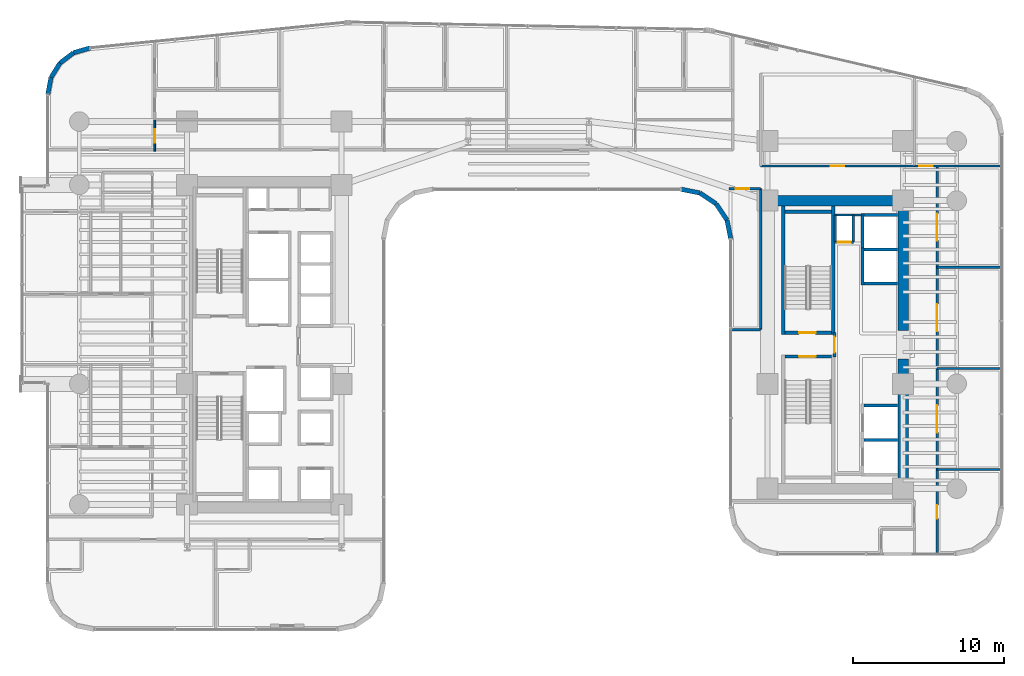
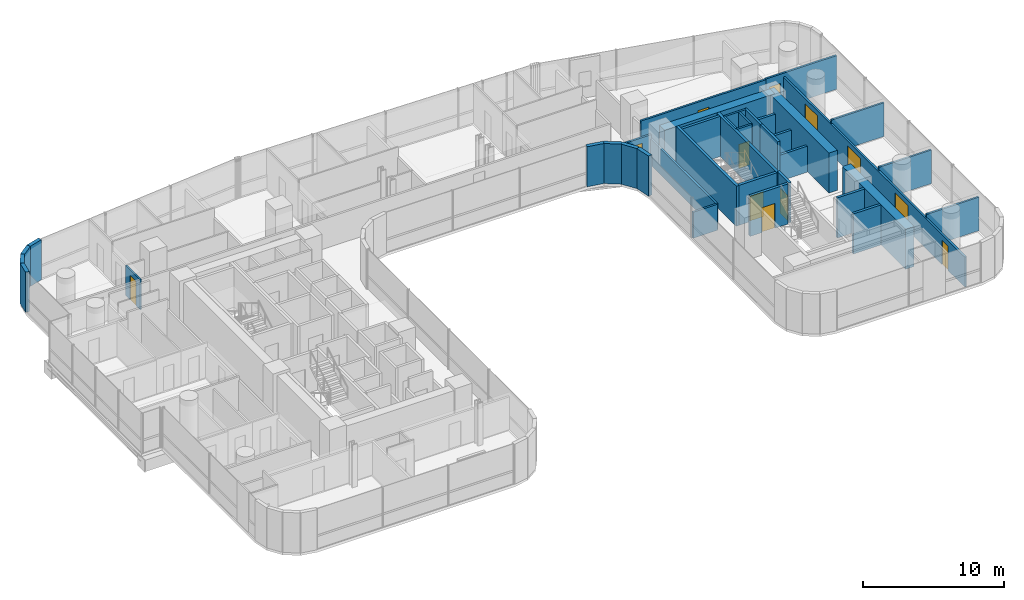
# One storey, part 32 of 40: 38 walls, 12 doors, 12 openings.
"""IFC4 building model written with IfcOpenShell, lengths in metres."""

from ifc_helpers import new_model, si_unit, direction, frame, frame_2d, origin, place, context, subcontext, project, spatial, rectangle, extrude, material, layer, layer_set, type_object, element, fill, save


model = new_model("IFC4")

# Units and contexts
model_context = context("Model", 3, precision=1e-05, world=origin(), true_north=direction((0.0, 1.0)))
body_context = subcontext(model_context, "Body", "Model", "MODEL_VIEW")
ifc_project = project(units=[si_unit("LENGTHUNIT", "METRE"), si_unit("AREAUNIT", "SQUARE_METRE"), si_unit("VOLUMEUNIT", "CUBIC_METRE"), si_unit("PLANEANGLEUNIT", "RADIAN"), si_unit("MASSUNIT", "GRAM", prefix="KILO")], contexts=[model_context])

# Site, building, storey
site_placement = place(None, origin())
site = spatial("IfcSite", under=ifc_project, at=site_placement, CompositionType="ELEMENT")
building_placement = place(site_placement, origin())
building = spatial("IfcBuilding", under=site, at=building_placement, Name="Valdorenza Pilgrim Sanctuary Tower", CompositionType="ELEMENT")
storey_placement = place(building_placement, frame((0.0, 0.0, 40.800048828125)))
storey = spatial("IfcBuildingStorey", under=building, at=storey_placement, Name="L09", CompositionType="ELEMENT", Elevation=40.800048828125)

# Wall, opening, door
ifc_material_1 = material(Name="Acoustic twin-stud gypsum partition", Category="gypsum")
ifc_layer_1 = layer(ifc_material_1, 0.159912109375, Name="Acoustic twin-stud gypsum partition")
ifc_layer_set_1 = layer_set([ifc_layer_1], Name="Acoustic twin-stud gypsum partition")
wall_type_1 = type_object("IfcWallType", Name="WAL-COR-160", PredefinedType="PARTITIONING", material=ifc_layer_set_1)
wall_1_placement = place(storey_placement, frame((20.35009765625, 6.800048828125, 0.0), z_axis=(0.0, 0.0, 1.0), x_axis=(1.0, 0.0, 0.0)))
wall_1 = element("IfcWall", 1, at=wall_1_placement, inside=storey, type_object=wall_type_1, Name="L09 Core B Riser South Wall", PredefinedType="PARTITIONING", context=body_context, shape_type="SweptSolid", body=[
    extrude(rectangle(XDim=1.199951171875, YDim=0.159912109375, at=frame_2d((0.60009765625, 0.0))), origin(), (0.0, 0.0, 1.0), 3.4599609375),
])
opening_1_placement = place(wall_1_placement, frame((0.175048828125, 0.0, 0.0)))
opening_1 = element("IfcOpeningElement", 2, at=opening_1_placement, cuts=wall_1, Name="Opening DR-RS1", PredefinedType="OPENING", context=body_context, shape_type="SweptSolid", body=[
    extrude(rectangle(XDim=0.85009765625, YDim=2.050048828125, at=frame_2d((0.425048828125, 1.02490234375))), frame((0.0, 0.0947265625, 0.0), z_axis=(0.0, -1.0, 0.0), x_axis=(1.0, 0.0, 0.0)), (0.0, 0.0, 1.0), 0.189697265625),
])
ifc_material_2 = material(Name="Painted galvanized steel", Category="steel")
door_type_1 = type_object("IfcDoorType", Name="DR-RSR-850", OperationType="NOTDEFINED", PredefinedType="DOOR", material=ifc_material_2)
door_1_placement = place(opening_1_placement, origin())
door_1 = element("IfcDoor", 3, at=door_1_placement, inside=storey, type_object=door_type_1, Name="L09 Core B Electrical Riser Door", OperationType="SINGLE_SWING_LEFT", OverallHeight=2.050048828125, OverallWidth=0.85009765625, PredefinedType="DOOR", context=body_context, shape_type="SweptSolid", body=[
    extrude(rectangle(XDim=0.85009765625, YDim=2.050048828125, at=frame_2d((0.425048828125, 1.02490234375))), frame((0.0, 0.02490234375, 0.0), z_axis=(0.0, -1.0, 0.0), x_axis=(1.0, 0.0, 0.0)), (0.0, 0.0, 1.0), 0.050048828125),
])
fill(opening_1, door_1)

# Walls
for number, where, z_axis, x_axis, name in (
    (4, (21.550048828125, 6.800048828125, 0.0), (0.0, 0.0, 1.0), (0.0, 1.0, 0.0), "L09 Core B Riser East Wall"),
    (5, (20.35009765625, 6.800048828125, 0.0), (0.0, 0.0, 1.0), (0.0, 1.0, 0.0), "L09 Core B Riser West Wall"),
):
    element("IfcWall", number, at=place(storey_placement, frame(where, z_axis=z_axis, x_axis=x_axis)), inside=storey, type_object=wall_type_1, Name=name, PredefinedType="PARTITIONING", context=body_context, shape_type="SweptSolid", body=[
        extrude(rectangle(XDim=1.800048828125, YDim=0.159912109375, at=frame_2d((0.89990234375, 0.0))), origin(), (0.0, 0.0, 1.0), 3.4599609375),
    ])
wall_2_placement = place(storey_placement, frame((20.300048828125, 8.60009765625, 0.0), z_axis=(0.0, 0.0, 1.0), x_axis=(1.0, 0.0, 0.0)))
element("IfcWall", 6, at=wall_2_placement, inside=storey, type_object=wall_type_1, Name="L09 Core B Lift Hall North End Wall", PredefinedType="PARTITIONING", context=body_context, shape_type="SweptSolid", body=[
    extrude(rectangle(XDim=1.820068359375, YDim=0.159912109375, at=frame_2d((0.91015625, 0.0))), origin(), (0.0, 0.0, 1.0), 3.4599609375),
])

# Wall, opening, door
wall_3_placement = place(storey_placement, frame((15.39990234375, 11.85009765625, 0.0), z_axis=(0.0, 0.0, 1.0), x_axis=(1.0, 0.0, 0.0)))
wall_3 = element("IfcWall", 7, at=wall_3_placement, inside=storey, type_object=wall_type_1, Name="L09 Wing B North Corridor Wall", PredefinedType="PARTITIONING", context=body_context, shape_type="SweptSolid", body=[
    extrude(rectangle(XDim=10.2001953125, YDim=0.159912109375, at=frame_2d((5.10009765625, 0.0))), origin(), (0.0, 0.0, 1.0), 2.833984375),
])
opening_2_placement = place(wall_3_placement, frame((4.64990234375, 0.0, 0.0)))
opening_2 = element("IfcOpeningElement", 8, at=opening_2_placement, cuts=wall_3, Name="Opening DR-RM1", PredefinedType="OPENING", context=body_context, shape_type="SweptSolid", body=[
    extrude(rectangle(XDim=0.89990234375, YDim=2.10009765625, at=frame_2d((0.449951171875, 1.050048828125))), frame((0.0, 0.0947265625, 0.0), z_axis=(0.0, -1.0, 0.0), x_axis=(1.0, 0.0, 0.0)), (0.0, 0.0, 1.0), 0.189697265625),
])
ifc_material_3 = material(Name="Solid-core European oak timber", Category="wood")
door_type_2 = type_object("IfcDoorType", Name="DR-ROOM-900", OperationType="NOTDEFINED", PredefinedType="DOOR", material=ifc_material_3)
door_2_placement = place(opening_2_placement, origin())
door_2 = element("IfcDoor", 9, at=door_2_placement, inside=storey, type_object=door_type_2, Name="L09 Curator Research Office L09-BN1 Door", OperationType="SINGLE_SWING_RIGHT", OverallHeight=2.10009765625, OverallWidth=0.89990234375, PredefinedType="DOOR", context=body_context, shape_type="SweptSolid", body=[
    extrude(rectangle(XDim=0.89990234375, YDim=2.10009765625, at=frame_2d((0.449951171875, 1.050048828125))), frame((0.0, 0.02490234375, 0.0), z_axis=(0.0, -1.0, 0.0), x_axis=(1.0, 0.0, 0.0)), (0.0, 0.0, 1.0), 0.050048828125),
])
fill(opening_2, door_2)

# Wall, openings, doors
wall_4_placement = place(storey_placement, frame((27.10009765625, -13.889892578125, 0.0), z_axis=(0.0, 0.0, 1.0), x_axis=(0.0, 1.0, 0.0)))
wall_4 = element("IfcWall", 10, at=wall_4_placement, inside=storey, type_object=wall_type_1, Name="L09 Wing B East Corridor Wall", PredefinedType="PARTITIONING", context=body_context, shape_type="SweptSolid", body=[
    extrude(rectangle(XDim=25.739990234375, YDim=0.159912109375, at=frame_2d((12.8701171875, 0.0))), origin(), (0.0, 0.0, 1.0), 2.5830078125),
])
opening_3_placement = place(wall_4_placement, frame((2.35107421875, 0.0, 0.0)))
opening_3 = element("IfcOpeningElement", 11, at=opening_3_placement, cuts=wall_4, Name="Opening DR-RM1", PredefinedType="OPENING", context=body_context, shape_type="SweptSolid", body=[
    extrude(rectangle(XDim=0.89990234375, YDim=2.10009765625, at=frame_2d((0.449951171875, 1.050048828125))), frame((0.0, 0.0947265625, 0.0), z_axis=(0.0, -1.0, 0.0), x_axis=(1.0, 0.0, 0.0)), (0.0, 0.0, 1.0), 0.189697265625),
])
opening_4_placement = place(wall_4_placement, frame((8.05908203125, 0.0, 0.0)))
opening_4 = element("IfcOpeningElement", 12, at=opening_4_placement, cuts=wall_4, Name="Opening DR-HL1", PredefinedType="OPENING", context=body_context, shape_type="SweptSolid", body=[
    extrude(rectangle(XDim=1.800048828125, YDim=2.14990234375, at=frame_2d((0.89990234375, 1.074951171875))), frame((0.0, 0.0947265625, 0.0), z_axis=(0.0, -1.0, 0.0), x_axis=(1.0, 0.0, 0.0)), (0.0, 0.0, 1.0), 0.189697265625),
])
opening_5_placement = place(wall_4_placement, frame((14.77099609375, 0.0, 0.0)))
opening_5 = element("IfcOpeningElement", 13, at=opening_5_placement, cuts=wall_4, Name="Opening DR-HL1", PredefinedType="OPENING", context=body_context, shape_type="SweptSolid", body=[
    extrude(rectangle(XDim=1.800048828125, YDim=2.14990234375, at=frame_2d((0.89990234375, 1.074951171875))), frame((0.0, 0.0947265625, 0.0), z_axis=(0.0, -1.0, 0.0), x_axis=(1.0, 0.0, 0.0)), (0.0, 0.0, 1.0), 0.189697265625),
])
opening_6_placement = place(wall_4_placement, frame((20.78759765625, 0.0, 0.0)))
opening_6 = element("IfcOpeningElement", 14, at=opening_6_placement, cuts=wall_4, Name="Opening DR-HL1", PredefinedType="OPENING", context=body_context, shape_type="SweptSolid", body=[
    extrude(rectangle(XDim=1.800048828125, YDim=2.14990234375, at=frame_2d((0.89990234375, 1.074951171875))), frame((0.0, 0.0947265625, 0.0), z_axis=(0.0, -1.0, 0.0), x_axis=(1.0, 0.0, 0.0)), (0.0, 0.0, 1.0), 0.189697265625),
])
ifc_material_4 = material(Name="Acoustic oak and vision-glass double door", Category="glass")
door_type_3 = type_object("IfcDoorType", Name="DR-HALL-1800", OperationType="NOTDEFINED", PredefinedType="DOOR", material=ifc_material_4)
door_3_placement = place(opening_4_placement, frame((1.800048828125, 0.0, 0.0), z_axis=(0.0, 0.0, 1.0), x_axis=(-1.0, 0.0, 0.0)))
door_3 = element("IfcDoor", 15, at=door_3_placement, inside=storey, type_object=door_type_3, Name="L09 East Reading Lounge L09-EB2 Door", OperationType="DOUBLE_DOOR_SINGLE_SWING", OverallHeight=2.14990234375, OverallWidth=1.800048828125, PredefinedType="DOOR", context=body_context, shape_type="SweptSolid", body=[
    extrude(rectangle(XDim=1.800048828125, YDim=2.14990234375, at=frame_2d((0.89990234375, 1.074951171875))), frame((0.0, 0.02490234375, 0.0), z_axis=(0.0, -1.0, 0.0), x_axis=(1.0, 0.0, 0.0)), (0.0, 0.0, 1.0), 0.050048828125),
])
fill(opening_4, door_3)
door_4_placement = place(opening_5_placement, origin())
door_4 = element("IfcDoor", 16, at=door_4_placement, inside=storey, type_object=door_type_3, Name="L09 East Reading Lounge L09-EB3 Door", OperationType="DOUBLE_DOOR_SINGLE_SWING", OverallHeight=2.14990234375, OverallWidth=1.800048828125, PredefinedType="DOOR", context=body_context, shape_type="SweptSolid", body=[
    extrude(rectangle(XDim=1.800048828125, YDim=2.14990234375, at=frame_2d((0.89990234375, 1.074951171875))), frame((0.0, 0.02490234375, 0.0), z_axis=(0.0, -1.0, 0.0), x_axis=(1.0, 0.0, 0.0)), (0.0, 0.0, 1.0), 0.050048828125),
])
fill(opening_5, door_4)
door_5_placement = place(opening_6_placement, frame((1.800048828125, 0.0, 0.0), z_axis=(0.0, 0.0, 1.0), x_axis=(-1.0, 0.0, 0.0)))
door_5 = element("IfcDoor", 17, at=door_5_placement, inside=storey, type_object=door_type_3, Name="L09 East Reading Lounge L09-EB4 Door", OperationType="DOUBLE_DOOR_SINGLE_SWING", OverallHeight=2.14990234375, OverallWidth=1.800048828125, PredefinedType="DOOR", context=body_context, shape_type="SweptSolid", body=[
    extrude(rectangle(XDim=1.800048828125, YDim=2.14990234375, at=frame_2d((0.89990234375, 1.074951171875))), frame((0.0, 0.02490234375, 0.0), z_axis=(0.0, -1.0, 0.0), x_axis=(1.0, 0.0, 0.0)), (0.0, 0.0, 1.0), 0.050048828125),
])
fill(opening_6, door_5)
door_6_placement = place(opening_3_placement, origin())
door_6 = element("IfcDoor", 18, at=door_6_placement, inside=storey, type_object=door_type_2, Name="L09 East Reading Lounge L09-EB1 Door", OperationType="SINGLE_SWING_RIGHT", OverallHeight=2.10009765625, OverallWidth=0.89990234375, PredefinedType="DOOR", context=body_context, shape_type="SweptSolid", body=[
    extrude(rectangle(XDim=0.89990234375, YDim=2.10009765625, at=frame_2d((0.449951171875, 1.050048828125))), frame((0.0, 0.02490234375, 0.0), z_axis=(0.0, -1.0, 0.0), x_axis=(1.0, 0.0, 0.0)), (0.0, 0.0, 1.0), 0.050048828125),
])
fill(opening_3, door_6)

# Wall, opening, door
wall_5_placement = place(storey_placement, frame((25.60009765625, 11.85009765625, 0.0), z_axis=(0.0, 0.0, 1.0), x_axis=(1.0, 0.0, 0.0)))
wall_5 = element("IfcWall", 19, at=wall_5_placement, inside=storey, type_object=wall_type_1, Name="L09 East Wing NE Corner South Wall", PredefinedType="PARTITIONING", context=body_context, shape_type="SweptSolid", body=[
    extrude(rectangle(XDim=5.789794921875, YDim=0.159912109375, at=frame_2d((2.89501953125, 0.0))), origin(), (0.0, 0.0, 1.0), 2.89599609375),
])
opening_7_placement = place(wall_5_placement, frame((0.300048828125, 0.0, 0.0)))
opening_7 = element("IfcOpeningElement", 20, at=opening_7_placement, cuts=wall_5, Name="Opening DR-RM1", PredefinedType="OPENING", context=body_context, shape_type="SweptSolid", body=[
    extrude(rectangle(XDim=0.89990234375, YDim=2.10009765625, at=frame_2d((0.449951171875, 1.050048828125))), frame((0.0, 0.0947265625, 0.0), z_axis=(0.0, -1.0, 0.0), x_axis=(1.0, 0.0, 0.0)), (0.0, 0.0, 1.0), 0.189697265625),
])
door_7_placement = place(opening_7_placement, origin())
door_7 = element("IfcDoor", 21, at=door_7_placement, inside=storey, type_object=door_type_2, Name="L09 East North Alcove Office L09 Door", OperationType="SINGLE_SWING_LEFT", OverallHeight=2.10009765625, OverallWidth=0.89990234375, PredefinedType="DOOR", context=body_context, shape_type="SweptSolid", body=[
    extrude(rectangle(XDim=0.89990234375, YDim=2.10009765625, at=frame_2d((0.449951171875, 1.050048828125))), frame((0.0, 0.02490234375, 0.0), z_axis=(0.0, -1.0, 0.0), x_axis=(1.0, 0.0, 0.0)), (0.0, 0.0, 1.0), 0.050048828125),
])
fill(opening_7, door_7)

wall_6_placement = place(storey_placement, frame((13.300048828125, 10.35009765625, 0.0), z_axis=(0.0, 0.0, 1.0), x_axis=(1.0, 0.0, 0.0)))
wall_6 = element("IfcWall", 22, at=wall_6_placement, inside=storey, type_object=wall_type_1, Name="L09 Courtyard Overlook North Wall", PredefinedType="PARTITIONING", context=body_context, shape_type="SweptSolid", body=[
    extrude(rectangle(XDim=2.099853515625, YDim=0.159912109375, at=frame_2d((1.0498046875, 0.0))), origin(), (0.0, 0.0, 1.0), 2.5830078125),
])
opening_8_placement = place(wall_6_placement, frame((0.449951171875, 0.0, 0.0)))
opening_8 = element("IfcOpeningElement", 23, at=opening_8_placement, cuts=wall_6, Name="Opening DR-RM1", PredefinedType="OPENING", context=body_context, shape_type="SweptSolid", body=[
    extrude(rectangle(XDim=0.89990234375, YDim=2.10009765625, at=frame_2d((0.449951171875, 1.050048828125))), frame((0.0, 0.0947265625, 0.0), z_axis=(0.0, -1.0, 0.0), x_axis=(1.0, 0.0, 0.0)), (0.0, 0.0, 1.0), 0.189697265625),
])
door_8_placement = place(opening_8_placement, origin())
door_8 = element("IfcDoor", 24, at=door_8_placement, inside=storey, type_object=door_type_2, Name="L09 Courtyard Overlook Salon Door", OperationType="SINGLE_SWING_RIGHT", OverallHeight=2.10009765625, OverallWidth=0.89990234375, PredefinedType="DOOR", context=body_context, shape_type="SweptSolid", body=[
    extrude(rectangle(XDim=0.89990234375, YDim=2.10009765625, at=frame_2d((0.449951171875, 1.050048828125))), frame((0.0, 0.02490234375, 0.0), z_axis=(0.0, -1.0, 0.0), x_axis=(1.0, 0.0, 0.0)), (0.0, 0.0, 1.0), 0.050048828125),
])
fill(opening_8, door_8)

# Walls
wall_7_placement = place(storey_placement, frame((15.39990234375, 1.0, 0.0), z_axis=(0.0, 0.0, 1.0), x_axis=(0.0, 1.0, 0.0)))
element("IfcWall", 25, at=wall_7_placement, inside=storey, type_object=wall_type_1, Name="L09 Courtyard Overlook East Wall", PredefinedType="PARTITIONING", context=body_context, shape_type="SweptSolid", body=[
    extrude(rectangle(XDim=9.35009765625, YDim=0.159912109375, at=frame_2d((4.675048828125, 0.0))), origin(), (0.0, 0.0, 1.0), 2.244873046875),
])
wall_8_placement = place(storey_placement, frame((13.409912109375, 1.0, 0.0), z_axis=(0.0, 0.0, 1.0), x_axis=(1.0, 0.0, 0.0)))
element("IfcWall", 26, at=wall_8_placement, inside=storey, type_object=wall_type_1, Name="L09 Courtyard Overlook South Wall", PredefinedType="PARTITIONING", context=body_context, shape_type="SweptSolid", body=[
    extrude(rectangle(XDim=1.989990234375, YDim=0.159912109375, at=frame_2d((0.9951171875, 0.0))), origin(), (0.0, 0.0, 1.0), 2.244873046875),
])
ifc_material_5 = material(Name="Concrete C60/75", Category="concrete")
ifc_layer_2 = layer(ifc_material_5, 0.699951171875, Name="Concrete C60/75")
ifc_layer_set_2 = layer_set([ifc_layer_2], Name="Concrete C60/75")
wall_type_2 = type_object("IfcWallType", Name="WAL-COR-700", PredefinedType="SHEAR", material=ifc_layer_set_2)
for number, where, z_axis, x_axis, name in (
    (27, (24.85009765625, -9.89990234375, 0.0), (0.0, 0.0, 1.0), (0.0, 1.0, 0.0), "L09 Split Core B Shear Wall ES"),
    (28, (24.85009765625, 0.949951171875, 0.0), (0.0, 0.0, 1.0), (0.0, 1.0, 0.0), "L09 Split Core B Shear Wall EN"),
):
    element("IfcWall", number, at=place(storey_placement, frame(where, z_axis=z_axis, x_axis=x_axis)), inside=storey, type_object=wall_type_2, Name=name, PredefinedType="SHEAR", context=body_context, shape_type="SweptSolid", body=[
        extrude(rectangle(XDim=8.949951171875, YDim=0.699951171875, at=frame_2d((4.47509765625, 0.0))), origin(), (0.0, 0.0, 1.0), 3.4599609375),
    ])
wall_9_placement = place(storey_placement, frame((15.85009765625, 9.550048828125, 0.0), z_axis=(0.0, 0.0, 1.0), x_axis=(1.0, 0.0, 0.0)))
element("IfcWall", 29, at=wall_9_placement, inside=storey, type_object=wall_type_2, Name="L09 Split Core B Shear Wall N", PredefinedType="SHEAR", context=body_context, shape_type="SweptSolid", body=[
    extrude(rectangle(XDim=9.0, YDim=0.699951171875, at=frame_2d((4.5, 0.0))), origin(), (0.0, 0.0, 1.0), 3.4599609375),
])
ifc_material_6 = material(Name="Honed travertine limestone", Category="masonry")
ifc_layer_3 = layer(ifc_material_6, 0.300048828125, Name="Honed travertine limestone")
ifc_layer_set_3 = layer_set([ifc_layer_3], Name="Honed travertine limestone")
wall_type_3 = type_object("IfcWallType", Name="WAL-EXT-300", PredefinedType="SOLIDWALL", material=ifc_layer_set_3)
wall_10_placement = place(storey_placement, frame((-31.889892578125, 16.593994140625, 0.0), z_axis=(0.0, 0.0, 1.0), x_axis=(0.182748995683, 0.9831596028, 0.0)))
element("IfcWall", 30, at=wall_10_placement, inside=storey, type_object=wall_type_3, Name="L09 Rounded Wind-Corner Stone Pier 2", PredefinedType="SOLIDWALL", context=body_context, shape_type="SweptSolid", body=[
    extrude(rectangle(XDim=1.1396484375, YDim=0.300048828125, at=frame_2d((0.56982421875, 0.0))), origin(), (0.0, 0.0, 1.0), 3.4599609375),
])
wall_11_placement = place(storey_placement, frame((-31.681640625, 17.71435546875, 0.0), z_axis=(0.0, 0.0, 1.0), x_axis=(0.524157723014, 0.8516212077, 0.0)))
element("IfcWall", 31, at=wall_11_placement, inside=storey, type_object=wall_type_3, Name="L09 Rounded Wind-Corner Stone Pier 3", PredefinedType="SOLIDWALL", context=body_context, shape_type="SweptSolid", body=[
    extrude(rectangle(XDim=1.12939453125, YDim=0.300048828125, at=frame_2d((0.564697265625, 0.0))), origin(), (0.0, 0.0, 1.0), 3.4599609375),
])
wall_12_placement = place(storey_placement, frame((-31.089599609375, 18.67626953125, 0.0), z_axis=(0.0, 0.0, 1.0), x_axis=(0.795253002434, 0.606277710393, 0.0)))
element("IfcWall", 32, at=wall_12_placement, inside=storey, type_object=wall_type_3, Name="L09 Rounded Wind-Corner Stone Pier 4", PredefinedType="SOLIDWALL", context=body_context, shape_type="SweptSolid", body=[
    extrude(rectangle(XDim=1.129150390625, YDim=0.300048828125, at=frame_2d((0.564453125, 0.0))), origin(), (0.0, 0.0, 1.0), 3.4599609375),
])
wall_13_placement = place(storey_placement, frame((-30.191650390625, 19.36083984375, 0.0), z_axis=(0.0, 0.0, 1.0), x_axis=(0.960071941549, 0.279753225271, 0.0)))
element("IfcWall", 33, at=wall_13_placement, inside=storey, type_object=wall_type_3, Name="L09 Rounded Wind-Corner Stone Pier 5", PredefinedType="SOLIDWALL", context=body_context, shape_type="SweptSolid", body=[
    extrude(rectangle(XDim=1.1396484375, YDim=0.300048828125, at=frame_2d((0.56982421875, 0.0))), origin(), (0.0, 0.0, 1.0), 3.4599609375),
])
wall_14_placement = place(storey_placement, frame((13.409912109375, 7.0107421875, 0.0), z_axis=(0.0, 0.0, 1.0), x_axis=(-0.195090163074, 0.980785312019, 0.0)))
element("IfcWall", 34, at=wall_14_placement, inside=storey, type_object=wall_type_3, Name="L09 Rounded Wind-Corner Stone Pier 32", PredefinedType="SOLIDWALL", context=body_context, shape_type="SweptSolid", body=[
    extrude(rectangle(XDim=1.281494140625, YDim=0.300048828125, at=frame_2d((0.640625, 0.0))), origin(), (0.0, 0.0, 1.0), 3.4599609375),
])
for number, where, z_axis, x_axis, name in (
    (35, (13.159912109375, 8.267578125, 0.0), (0.0, 0.0, 1.0), (-0.555615398575, 0.831439431869, 0.0), "L09 Rounded Wind-Corner Stone Pier 33"),
    (36, (12.44189453125, 9.342041015625, 0.0), (0.0, 0.0, 1.0), (-0.831439431869, 0.555615398575, 0.0), "L09 Rounded Wind-Corner Stone Pier 34"),
):
    element("IfcWall", number, at=place(storey_placement, frame(where, z_axis=z_axis, x_axis=x_axis)), inside=storey, type_object=wall_type_3, Name=name, PredefinedType="SOLIDWALL", context=body_context, shape_type="SweptSolid", body=[
        extrude(rectangle(XDim=1.292236328125, YDim=0.300048828125, at=frame_2d((0.64599609375, 0.0))), origin(), (0.0, 0.0, 1.0), 3.4599609375),
    ])
wall_15_placement = place(storey_placement, frame((11.367431640625, 10.06005859375, 0.0), z_axis=(0.0, 0.0, 1.0), x_axis=(-0.980778058848, 0.195126623715, 0.0)))
element("IfcWall", 37, at=wall_15_placement, inside=storey, type_object=wall_type_3, Name="L09 Rounded Wind-Corner Stone Pier 35", PredefinedType="SOLIDWALL", context=body_context, shape_type="SweptSolid", body=[
    extrude(rectangle(XDim=1.28125, YDim=0.300048828125, at=frame_2d((0.640625, 0.0))), origin(), (0.0, 0.0, 1.0), 3.4599609375),
])

# Wall, opening, door
ifc_material_7 = material(Name="Gypsum shaftwall partition", Category="gypsum")
ifc_layer_4 = layer(ifc_material_7, 0.199951171875, Name="Gypsum shaftwall partition")
ifc_layer_set_4 = layer_set([ifc_layer_4], Name="Gypsum shaftwall partition")
wall_type_4 = type_object("IfcWallType", Name="WAL-FFL-200", PredefinedType="PARTITIONING", material=ifc_layer_set_4)
wall_16_placement = place(storey_placement, frame((20.300048828125, -0.820068359375, 0.0), z_axis=(0.0, 0.0, 1.0), x_axis=(0.0, 1.0, 0.0)))
wall_16 = element("IfcWall", 38, at=wall_16_placement, inside=storey, type_object=wall_type_4, Name="L09 Core B Firefighting Lobby East Wall", PredefinedType="PARTITIONING", context=body_context, shape_type="SweptSolid", body=[
    extrude(rectangle(XDim=1.64013671875, YDim=0.199951171875, at=frame_2d((0.820068359375, 0.0))), origin(), (0.0, 0.0, 1.0), 3.4599609375),
])
opening_9_placement = place(wall_16_placement, frame((0.294921875, 0.0, 0.0)))
opening_9 = element("IfcOpeningElement", 39, at=opening_9_placement, cuts=wall_16, Name="Opening DR-FL1", PredefinedType="OPENING", context=body_context, shape_type="SweptSolid", body=[
    extrude(rectangle(XDim=1.050048828125, YDim=2.14990234375, at=frame_2d((0.52490234375, 1.074951171875))), frame((0.0, 0.11474609375, 0.0), z_axis=(0.0, -1.0, 0.0), x_axis=(1.0, 0.0, 0.0)), (0.0, 0.0, 1.0), 0.229736328125),
])
door_type_4 = type_object("IfcDoorType", Name="DR-FFL-1050", OperationType="NOTDEFINED", PredefinedType="DOOR", material=ifc_material_2)
door_9_placement = place(opening_9_placement, origin())
door_9 = element("IfcDoor", 40, at=door_9_placement, inside=storey, type_object=door_type_4, Name="L09 Core B Firefighting Lobby Door", OperationType="SINGLE_SWING_RIGHT", OverallHeight=2.14990234375, OverallWidth=1.050048828125, PredefinedType="DOOR", context=body_context, shape_type="SweptSolid", body=[
    extrude(rectangle(XDim=1.050048828125, YDim=2.14990234375, at=frame_2d((0.52490234375, 1.074951171875))), frame((0.0, 0.02490234375, 0.0), z_axis=(0.0, -1.0, 0.0), x_axis=(1.0, 0.0, 0.0)), (0.0, 0.0, 1.0), 0.050048828125),
])
fill(opening_9, door_9)

ifc_material_8 = material(Name="Moisture-resistant gypsum partition", Category="gypsum")
ifc_layer_5 = layer(ifc_material_8, 0.1201171875, Name="Moisture-resistant gypsum partition")
ifc_layer_set_5 = layer_set([ifc_layer_5], Name="Moisture-resistant gypsum partition")
wall_type_5 = type_object("IfcWallType", Name="WAL-INT-120", PredefinedType="PARTITIONING", material=ifc_layer_set_5)
wall_17_placement = place(storey_placement, frame((-24.802734375, 12.840087890625, 0.0), z_axis=(0.0, 0.0, 1.0), x_axis=(0.0, 1.0, 0.0)))
wall_17 = element("IfcWall", 41, at=wall_17_placement, inside=storey, type_object=wall_type_5, Name="L09 North Family Flat L09-N1 Kitchen Door Wall", PredefinedType="PARTITIONING", context=body_context, shape_type="SweptSolid", body=[
    extrude(rectangle(XDim=2.079833984375, YDim=0.1201171875, at=frame_2d((1.0400390625, 0.0))), origin(), (0.0, 0.0, 1.0), 2.5830078125),
])
opening_10_placement = place(wall_17_placement, frame((0.550048828125, 0.0, 0.0)))
opening_10 = element("IfcOpeningElement", 42, at=opening_10_placement, cuts=wall_17, Name="Opening DR-RM1", PredefinedType="OPENING", context=body_context, shape_type="SweptSolid", body=[
    extrude(rectangle(XDim=0.89990234375, YDim=2.10009765625, at=frame_2d((0.449951171875, 1.050048828125))), frame((0.0, 0.074951171875, 0.0), z_axis=(0.0, -1.0, 0.0), x_axis=(1.0, 0.0, 0.0)), (0.0, 0.0, 1.0), 0.14990234375),
])
door_10_placement = place(opening_10_placement, origin())
door_10 = element("IfcDoor", 43, at=door_10_placement, inside=storey, type_object=door_type_2, Name="L09 North Family Flat L09-N1 Kitchen Door", OperationType="SINGLE_SWING_LEFT", OverallHeight=2.10009765625, OverallWidth=0.89990234375, PredefinedType="DOOR", context=body_context, shape_type="SweptSolid", body=[
    extrude(rectangle(XDim=0.89990234375, YDim=2.10009765625, at=frame_2d((0.449951171875, 1.050048828125))), frame((0.0, 0.02490234375, 0.0), z_axis=(0.0, -1.0, 0.0), x_axis=(1.0, 0.0, 0.0)), (0.0, 0.0, 1.0), 0.050048828125),
])
fill(opening_10, door_10)

# Walls
ifc_material_9 = material(Name="Autoclaved aerated concrete blockwork", Category="masonry")
ifc_layer_6 = layer(ifc_material_9, 0.199951171875, Name="Autoclaved aerated concrete blockwork")
ifc_layer_set_6 = layer_set([ifc_layer_6], Name="Autoclaved aerated concrete blockwork")
wall_type_6 = type_object("IfcWallType", Name="WAL-SHF-200", PredefinedType="MOVABLE", material=ifc_layer_set_6)
for number, where, z_axis, x_axis, name in (
    (44, (22.25, -6.324951171875, 0.0), (0.0, 0.0, 1.0), (1.0, 0.0, 0.0), "L09 Lift PL-03 Hoistway Wall North"),
    (45, (22.25, -4.050048828125, 0.0), (0.0, 0.0, 1.0), (1.0, 0.0, 0.0), "L09 Lift PL-04 Hoistway Wall North"),
):
    element("IfcWall", number, at=place(storey_placement, frame(where, z_axis=z_axis, x_axis=x_axis)), inside=storey, type_object=wall_type_6, Name=name, PredefinedType="MOVABLE", context=body_context, shape_type="SweptSolid", body=[
        extrude(rectangle(XDim=2.22998046875, YDim=0.199951171875, at=frame_2d((1.114990234375, 0.0))), origin(), (0.0, 0.0, 1.0), 3.4599609375),
    ])
wall_18_placement = place(storey_placement, frame((22.14990234375, 3.949951171875, 0.0), z_axis=(0.0, 0.0, 1.0), x_axis=(0.0, 1.0, 0.0)))
element("IfcWall", 46, at=wall_18_placement, inside=storey, type_object=wall_type_6, Name="L09 Lift PL-07 Hoistway Wall West", PredefinedType="MOVABLE", context=body_context, shape_type="SweptSolid", body=[
    extrude(rectangle(XDim=2.47509765625, YDim=0.199951171875, at=frame_2d((1.237548828125, 0.0))), origin(), (0.0, 0.0, 1.0), 3.4599609375),
])
for number, where, z_axis, x_axis, name in (
    (47, (22.25, 4.050048828125, 0.0), (0.0, 0.0, 1.0), (1.0, 0.0, 0.0), "L09 Lift PL-07 Hoistway Wall South"),
    (48, (22.25, 6.324951171875, 0.0), (0.0, 0.0, 1.0), (1.0, 0.0, 0.0), "L09 Lift PL-07 Hoistway Wall North"),
):
    element("IfcWall", number, at=place(storey_placement, frame(where, z_axis=z_axis, x_axis=x_axis)), inside=storey, type_object=wall_type_6, Name=name, PredefinedType="MOVABLE", context=body_context, shape_type="SweptSolid", body=[
        extrude(rectangle(XDim=2.22998046875, YDim=0.199951171875, at=frame_2d((1.114990234375, 0.0))), origin(), (0.0, 0.0, 1.0), 2.244873046875),
    ])
wall_19_placement = place(storey_placement, frame((22.14990234375, 6.22509765625, 0.0), z_axis=(0.0, 0.0, 1.0), x_axis=(0.0, 1.0, 0.0)))
element("IfcWall", 49, at=wall_19_placement, inside=storey, type_object=wall_type_6, Name="L09 Lift PL-08 Hoistway Wall West", PredefinedType="MOVABLE", context=body_context, shape_type="SweptSolid", body=[
    extrude(rectangle(XDim=2.474853515625, YDim=0.199951171875, at=frame_2d((1.2373046875, 0.0))), origin(), (0.0, 0.0, 1.0), 3.4599609375),
])
wall_20_placement = place(storey_placement, frame((22.25, 8.60009765625, 0.0), z_axis=(0.0, 0.0, 1.0), x_axis=(1.0, 0.0, 0.0)))
element("IfcWall", 50, at=wall_20_placement, inside=storey, type_object=wall_type_6, Name="L09 Lift PL-08 Hoistway Wall North", PredefinedType="MOVABLE", context=body_context, shape_type="SweptSolid", body=[
    extrude(rectangle(XDim=2.22998046875, YDim=0.199951171875, at=frame_2d((1.114990234375, 0.0))), origin(), (0.0, 0.0, 1.0), 2.244873046875),
])
ifc_material_10 = material(Name="Concrete C40/50", Category="concrete")
ifc_layer_7 = layer(ifc_material_10, 0.219970703125, Name="Concrete C40/50")
ifc_layer_set_7 = layer_set([ifc_layer_7], Name="Concrete C40/50")
wall_type_7 = type_object("IfcWallType", Name="WAL-STR-SHF-220", PredefinedType="SHEAR", material=ifc_layer_set_7)
for number, where, z_axis, x_axis, name in (
    (51, (16.889892578125, 0.679931640625, 0.0), (0.0, 0.0, 1.0), (0.0, 1.0, 0.0), "L09 ST-B1 Structural Stairwell Wall W"),
    (52, (20.219970703125, 0.679931640625, 0.0), (0.0, 0.0, 1.0), (0.0, 1.0, 0.0), "L09 ST-B1 Structural Stairwell Wall E"),
):
    element("IfcWall", number, at=place(storey_placement, frame(where, z_axis=z_axis, x_axis=x_axis)), inside=storey, type_object=wall_type_7, Name=name, PredefinedType="SHEAR", context=body_context, shape_type="SweptSolid", body=[
        extrude(rectangle(XDim=8.52001953125, YDim=0.219970703125, at=frame_2d((4.260009765625, 0.0))), origin(), (0.0, 0.0, 1.0), 3.4599609375),
    ])

# Wall, opening, door
wall_21_placement = place(storey_placement, frame((17.0, 0.7900390625, 0.0), z_axis=(0.0, 0.0, 1.0), x_axis=(1.0, 0.0, 0.0)))
wall_21 = element("IfcWall", 53, at=wall_21_placement, inside=storey, type_object=wall_type_7, Name="L09 ST-B1 Structural Stairwell Wall S", PredefinedType="SHEAR", context=body_context, shape_type="SweptSolid", body=[
    extrude(rectangle(XDim=3.110107421875, YDim=0.219970703125, at=frame_2d((1.55517578125, 0.0))), origin(), (0.0, 0.0, 1.0), 3.4599609375),
])
opening_11_placement = place(wall_21_placement, frame((0.949951171875, 0.0, 0.0)))
opening_11 = element("IfcOpeningElement", 54, at=opening_11_placement, cuts=wall_21, Name="Opening DR-ST1", PredefinedType="OPENING", context=body_context, shape_type="SweptSolid", body=[
    extrude(rectangle(XDim=1.10009765625, YDim=2.14990234375, at=frame_2d((0.550048828125, 1.074951171875))), frame((0.0, 0.125, 0.0), z_axis=(0.0, -1.0, 0.0), x_axis=(1.0, 0.0, 0.0)), (0.0, 0.0, 1.0), 0.249755859375),
])
door_type_5 = type_object("IfcDoorType", Name="DR-STAIR-1100", OperationType="NOTDEFINED", PredefinedType="DOOR", material=ifc_material_2)
door_11_placement = place(opening_11_placement, frame((1.10009765625, 0.0, 0.0), z_axis=(0.0, 0.0, 1.0), x_axis=(-1.0, 0.0, 0.0)))
door_11 = element("IfcDoor", 55, at=door_11_placement, inside=storey, type_object=door_type_5, Name="L09 Exit Stair ST-B1 Door", OperationType="SINGLE_SWING_LEFT", OverallHeight=2.14990234375, OverallWidth=1.10009765625, PredefinedType="DOOR", context=body_context, shape_type="SweptSolid", body=[
    extrude(rectangle(XDim=1.10009765625, YDim=2.14990234375, at=frame_2d((0.550048828125, 1.074951171875))), frame((0.0, 0.02490234375, 0.0), z_axis=(0.0, -1.0, 0.0), x_axis=(1.0, 0.0, 0.0)), (0.0, 0.0, 1.0), 0.050048828125),
])
fill(opening_11, door_11)

# Wall
wall_22_placement = place(storey_placement, frame((17.0, 8.81005859375, 0.0), z_axis=(0.0, 0.0, 1.0), x_axis=(1.0, 0.0, 0.0)))
element("IfcWall", 56, at=wall_22_placement, inside=storey, type_object=wall_type_7, Name="L09 ST-B1 Structural Stairwell Wall N", PredefinedType="SHEAR", context=body_context, shape_type="SweptSolid", body=[
    extrude(rectangle(XDim=3.110107421875, YDim=0.219970703125, at=frame_2d((1.55517578125, 0.0))), origin(), (0.0, 0.0, 1.0), 3.4599609375),
])

# Wall, opening, door
wall_23_placement = place(storey_placement, frame((17.0, -0.7900390625, 0.0), z_axis=(0.0, 0.0, 1.0), x_axis=(1.0, 0.0, 0.0)))
wall_23 = element("IfcWall", 57, at=wall_23_placement, inside=storey, type_object=wall_type_7, Name="L09 ST-B2 Structural Stairwell Wall N", PredefinedType="SHEAR", context=body_context, shape_type="SweptSolid", body=[
    extrude(rectangle(XDim=3.110107421875, YDim=0.219970703125, at=frame_2d((1.55517578125, 0.0))), origin(), (0.0, 0.0, 1.0), 3.4599609375),
])
opening_12_placement = place(wall_23_placement, frame((0.949951171875, 0.0, 0.0)))
opening_12 = element("IfcOpeningElement", 58, at=opening_12_placement, cuts=wall_23, Name="Opening DR-ST1", PredefinedType="OPENING", context=body_context, shape_type="SweptSolid", body=[
    extrude(rectangle(XDim=1.10009765625, YDim=2.14990234375, at=frame_2d((0.550048828125, 1.074951171875))), frame((0.0, 0.125, 0.0), z_axis=(0.0, -1.0, 0.0), x_axis=(1.0, 0.0, 0.0)), (0.0, 0.0, 1.0), 0.249755859375),
])
door_12_placement = place(opening_12_placement, origin())
door_12 = element("IfcDoor", 59, at=door_12_placement, inside=storey, type_object=door_type_5, Name="L09 Exit Stair ST-B2 Door", OperationType="SINGLE_SWING_RIGHT", OverallHeight=2.14990234375, OverallWidth=1.10009765625, PredefinedType="DOOR", context=body_context, shape_type="SweptSolid", body=[
    extrude(rectangle(XDim=1.10009765625, YDim=2.14990234375, at=frame_2d((0.550048828125, 1.074951171875))), frame((0.0, 0.02490234375, 0.0), z_axis=(0.0, -1.0, 0.0), x_axis=(1.0, 0.0, 0.0)), (0.0, 0.0, 1.0), 0.050048828125),
])
fill(opening_12, door_12)

# Walls
ifc_layer_8 = layer(ifc_material_1, 0.14990234375, Name="Acoustic twin-stud gypsum partition")
ifc_layer_set_8 = layer_set([ifc_layer_8], Name="Acoustic twin-stud gypsum partition")
wall_type_8 = type_object("IfcWallType", Name="WAL-UNT-150", PredefinedType="PARTITIONING", material=ifc_layer_set_8)
for number, where, z_axis, x_axis, name in (
    (60, (27.10009765625, -8.28759765625, 0.0), (0.0, 0.0, 1.0), (1.0, 0.0, 0.0), "L09 East Reading Lounge L09-EB2 Demising Wall"),
    (61, (27.10009765625, -1.574951171875, 0.0), (0.0, 0.0, 1.0), (1.0, 0.0, 0.0), "L09 East Reading Lounge L09-EB3 Demising Wall"),
    (62, (27.10009765625, 5.137451171875, 0.0), (0.0, 0.0, 1.0), (1.0, 0.0, 0.0), "L09 East Reading Lounge L09-EB4 Demising Wall"),
):
    element("IfcWall", number, at=place(storey_placement, frame(where, z_axis=z_axis, x_axis=x_axis)), inside=storey, type_object=wall_type_8, Name=name, PredefinedType="PARTITIONING", context=body_context, shape_type="SweptSolid", body=[
        extrude(rectangle(XDim=4.289794921875, YDim=0.14990234375, at=frame_2d((2.14501953125, 0.0))), origin(), (0.0, 0.0, 1.0), 2.89599609375),
    ])

save(model, "model.ifc")
